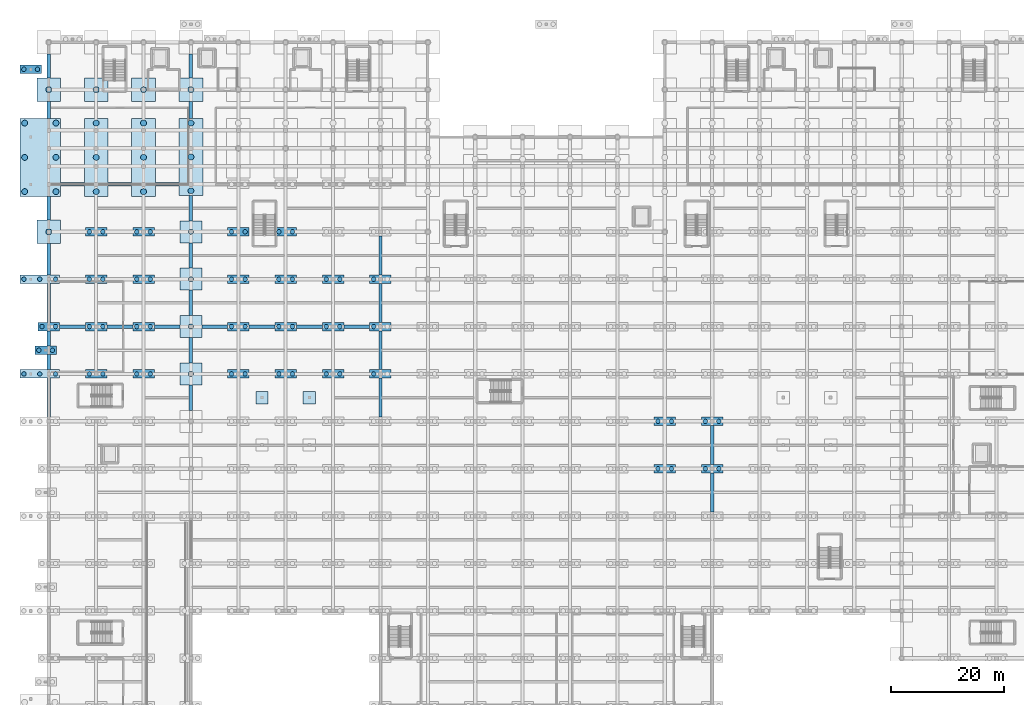
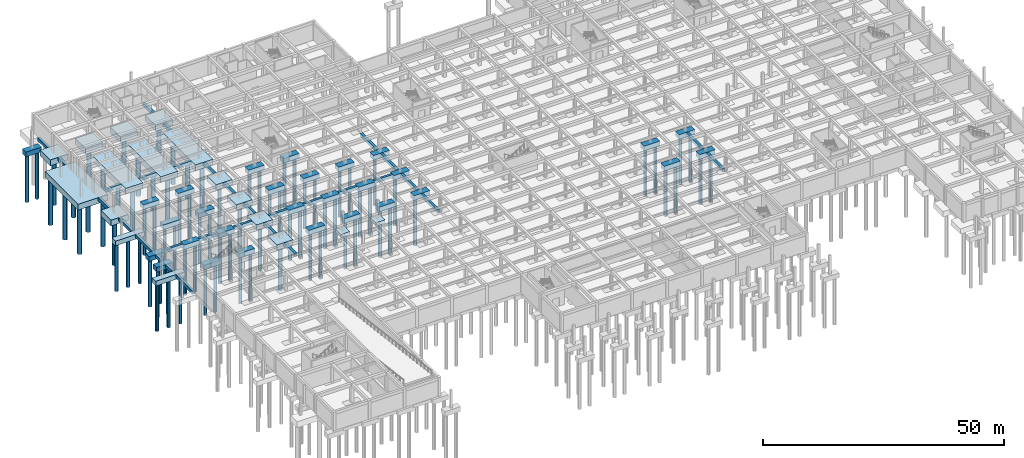
# One storey, part 3 of 51: 85 piles, 77 footings.
"""IFC4 building model written with IfcOpenShell, lengths in metres."""

from ifc_helpers import new_model, si_unit, direction, frame, origin, origin_2d, place, context, subcontext, project, spatial, rectangle, circle, extrude, material, material_profile, profile_set, type_object, element, save


model = new_model("IFC4")

# Units and contexts
model_context = context("Model", 3, precision=1e-05, world=origin(), true_north=direction((0.0, 1.0)))
body_context = subcontext(model_context, "Body", "Model", "MODEL_VIEW")
ifc_project = project(units=[si_unit("LENGTHUNIT", "METRE"), si_unit("AREAUNIT", "SQUARE_METRE"), si_unit("VOLUMEUNIT", "CUBIC_METRE"), si_unit("PLANEANGLEUNIT", "RADIAN"), si_unit("MASSUNIT", "GRAM", prefix="KILO")], contexts=[model_context])

# Site, building, storey
site_placement = place(None, origin())
site = spatial("IfcSite", under=ifc_project, at=site_placement, CompositionType="ELEMENT")
building_placement = place(site_placement, origin())
building = spatial("IfcBuilding", under=site, at=building_placement, Name="Varncliffe General Hospital", CompositionType="ELEMENT")
storey_placement = place(building_placement, frame((0.0, 0.0, -4.800048828125)))
storey = spatial("IfcBuildingStorey", under=building, at=storey_placement, Name="B1", CompositionType="ELEMENT", Elevation=-4.800048828125)

# Piles
ifc_material = material(Name="Concrete C40/50 (CSA A23.1 40 MPa)", Category="concrete")
ifc_material_profile_1 = material_profile(ifc_material, circle(Radius=0.39990234375, at=origin_2d()), Name="BORED PILE 800")
ifc_profile_set_1 = profile_set([ifc_material_profile_1], Name="Concrete C40/50 (CSA A23.1 40 MPa)")
pile_type_1 = type_object("IfcPileType", Name="Bored Caisson Pile P13 (BORED PILE 800)", PredefinedType="BORED", material=ifc_profile_set_1)
for number, where, z_axis, x_axis, name in (
    (1, (108.0, 49.199951171875, -1.050048828125), (0.0, 0.0, -1.0), (1.0, 0.0, 0.0), "B1 Bored Pile P13 (PC-B1-147-1)"),
    (2, (110.39990234375, 49.199951171875, -1.050048828125), (0.0, 0.0, -1.0), (1.0, 0.0, 0.0), "B1 Bored Pile P13 (PC-B1-147-2)"),
    (3, (116.39990234375, 49.199951171875, -1.050048828125), (0.0, 0.0, -1.0), (1.0, 0.0, 0.0), "B1 Bored Pile P13 (PC-B1-148-1)"),
    (4, (118.800048828125, 49.199951171875, -1.050048828125), (0.0, 0.0, -1.0), (1.0, 0.0, 0.0), "B1 Bored Pile P13 (PC-B1-148-2)"),
    (5, (108.0, 57.60009765625, -1.050048828125), (0.0, 0.0, -1.0), (1.0, 0.0, 0.0), "B1 Bored Pile P13 (PC-B1-169-1)"),
    (6, (110.39990234375, 57.60009765625, -1.050048828125), (0.0, 0.0, -1.0), (1.0, 0.0, 0.0), "B1 Bored Pile P13 (PC-B1-169-2)"),
    (7, (116.39990234375, 57.60009765625, -1.050048828125), (0.0, 0.0, -1.0), (1.0, 0.0, 0.0), "B1 Bored Pile P13 (PC-B1-170-1)"),
    (8, (118.800048828125, 57.60009765625, -1.050048828125), (0.0, 0.0, -1.0), (1.0, 0.0, 0.0), "B1 Bored Pile P13 (PC-B1-170-2)"),
    (9, (-4.39990234375, 66.0, -1.050048828125), (0.0, 0.0, -1.0), (1.0, 0.0, 0.0), "B1 Bored Pile P13 (PC-B1-179-1)"),
    (10, (-1.60009765625, 66.0, -1.050048828125), (0.0, 0.0, -1.0), (1.0, 0.0, 0.0), "B1 Bored Pile P13 (PC-B1-179-2)"),
    (11, (1.199951171875, 66.0, -1.050048828125), (0.0, 0.0, -1.0), (1.0, 0.0, 0.0), "B1 Bored Pile P13 (PC-B1-179-3)"),
    (12, (7.199951171875, 66.0, -1.050048828125), (0.0, 0.0, -1.0), (1.0, 0.0, 0.0), "B1 Bored Pile P13 (PC-B1-180-1)"),
    (13, (9.60009765625, 66.0, -1.050048828125), (0.0, 0.0, -1.0), (1.0, 0.0, 0.0), "B1 Bored Pile P13 (PC-B1-180-2)"),
    (14, (15.60009765625, 66.0, -1.050048828125), (0.0, 0.0, -1.0), (1.0, 0.0, 0.0), "B1 Bored Pile P13 (PC-B1-181-1)"),
    (15, (18.0, 66.0, -1.050048828125), (0.0, 0.0, -1.0), (1.0, 0.0, 0.0), "B1 Bored Pile P13 (PC-B1-181-2)"),
    (16, (32.39990234375, 66.0, -1.050048828125), (0.0, 0.0, -1.0), (1.0, 0.0, 0.0), "B1 Bored Pile P13 (PC-B1-182-1)"),
    (17, (34.800048828125, 66.0, -1.050048828125), (0.0, 0.0, -1.0), (1.0, 0.0, 0.0), "B1 Bored Pile P13 (PC-B1-182-2)"),
    (18, (40.800048828125, 66.0, -1.050048828125), (0.0, 0.0, -1.0), (1.0, 0.0, 0.0), "B1 Bored Pile P13 (PC-B1-183-1)"),
    (19, (43.199951171875, 66.0, -1.050048828125), (0.0, 0.0, -1.0), (1.0, 0.0, 0.0), "B1 Bored Pile P13 (PC-B1-183-2)"),
    (20, (49.199951171875, 66.0, -1.050048828125), (0.0, 0.0, -1.0), (1.0, 0.0, 0.0), "B1 Bored Pile P13 (PC-B1-184-1)"),
    (21, (51.60009765625, 66.0, -1.050048828125), (0.0, 0.0, -1.0), (1.0, 0.0, 0.0), "B1 Bored Pile P13 (PC-B1-184-2)"),
    (22, (57.60009765625, 66.0, -1.050048828125), (0.0, 0.0, -1.0), (1.0, 0.0, 0.0), "B1 Bored Pile P13 (PC-B1-185-1)"),
    (23, (-1.75, 70.199951171875, -1.050048828125), (0.0, 0.0, -1.0), (1.0, 0.0, 0.0), "B1 Bored Pile P13 (PC-B1-199-1)"),
    (24, (0.64990234375, 70.199951171875, -1.050048828125), (0.0, 0.0, -1.0), (1.0, 0.0, 0.0), "B1 Bored Pile P13 (PC-B1-199-2)"),
    (25, (-1.199951171875, 74.39990234375, -1.050048828125), (0.0, 0.0, -1.0), (1.0, 0.0, 0.0), "B1 Bored Pile P13 (PC-B1-203-1)"),
    (26, (1.199951171875, 74.39990234375, -1.050048828125), (0.0, 0.0, -1.0), (1.0, 0.0, 0.0), "B1 Bored Pile P13 (PC-B1-203-2)"),
    (27, (7.199951171875, 74.39990234375, -1.050048828125), (0.0, 0.0, -1.0), (1.0, 0.0, 0.0), "B1 Bored Pile P13 (PC-B1-204-1)"),
    (28, (9.60009765625, 74.39990234375, -1.050048828125), (0.0, 0.0, -1.0), (1.0, 0.0, 0.0), "B1 Bored Pile P13 (PC-B1-204-2)"),
    (29, (15.60009765625, 74.39990234375, -1.050048828125), (0.0, 0.0, -1.0), (1.0, 0.0, 0.0), "B1 Bored Pile P13 (PC-B1-205-1)"),
    (30, (18.0, 74.39990234375, -1.050048828125), (0.0, 0.0, -1.0), (1.0, 0.0, 0.0), "B1 Bored Pile P13 (PC-B1-205-2)"),
    (31, (32.39990234375, 74.39990234375, -1.050048828125), (0.0, 0.0, -1.0), (1.0, 0.0, 0.0), "B1 Bored Pile P13 (PC-B1-206-1)"),
    (32, (34.800048828125, 74.39990234375, -1.050048828125), (0.0, 0.0, -1.0), (1.0, 0.0, 0.0), "B1 Bored Pile P13 (PC-B1-206-2)"),
    (33, (40.800048828125, 74.39990234375, -1.050048828125), (0.0, 0.0, -1.0), (1.0, 0.0, 0.0), "B1 Bored Pile P13 (PC-B1-207-1)"),
    (34, (43.199951171875, 74.39990234375, -1.050048828125), (0.0, 0.0, -1.0), (1.0, 0.0, 0.0), "B1 Bored Pile P13 (PC-B1-207-2)"),
    (35, (49.199951171875, 74.39990234375, -1.050048828125), (0.0, 0.0, -1.0), (1.0, 0.0, 0.0), "B1 Bored Pile P13 (PC-B1-208-1)"),
    (36, (51.60009765625, 74.39990234375, -1.050048828125), (0.0, 0.0, -1.0), (1.0, 0.0, 0.0), "B1 Bored Pile P13 (PC-B1-208-2)"),
    (37, (57.60009765625, 74.39990234375, -1.050048828125), (0.0, 0.0, -1.0), (1.0, 0.0, 0.0), "B1 Bored Pile P13 (PC-B1-209-1)"),
    (38, (-4.39990234375, 82.800048828125, -1.050048828125), (0.0, 0.0, -1.0), (1.0, 0.0, 0.0), "B1 Bored Pile P13 (PC-B1-226-1)"),
    (39, (-1.60009765625, 82.800048828125, -1.050048828125), (0.0, 0.0, -1.0), (1.0, 0.0, 0.0), "B1 Bored Pile P13 (PC-B1-226-2)"),
    (40, (1.199951171875, 82.800048828125, -1.050048828125), (0.0, 0.0, -1.0), (1.0, 0.0, 0.0), "B1 Bored Pile P13 (PC-B1-226-3)"),
    (41, (7.199951171875, 82.800048828125, -1.050048828125), (0.0, 0.0, -1.0), (1.0, 0.0, 0.0), "B1 Bored Pile P13 (PC-B1-227-1)"),
    (42, (9.60009765625, 82.800048828125, -1.050048828125), (0.0, 0.0, -1.0), (1.0, 0.0, 0.0), "B1 Bored Pile P13 (PC-B1-227-2)"),
    (43, (15.60009765625, 82.800048828125, -1.050048828125), (0.0, 0.0, -1.0), (1.0, 0.0, 0.0), "B1 Bored Pile P13 (PC-B1-228-1)"),
    (44, (18.0, 82.800048828125, -1.050048828125), (0.0, 0.0, -1.0), (1.0, 0.0, 0.0), "B1 Bored Pile P13 (PC-B1-228-2)"),
    (45, (32.39990234375, 82.800048828125, -1.050048828125), (0.0, 0.0, -1.0), (1.0, 0.0, 0.0), "B1 Bored Pile P13 (PC-B1-229-1)"),
    (46, (34.800048828125, 82.800048828125, -1.050048828125), (0.0, 0.0, -1.0), (1.0, 0.0, 0.0), "B1 Bored Pile P13 (PC-B1-229-2)"),
    (47, (40.800048828125, 82.800048828125, -1.050048828125), (0.0, 0.0, -1.0), (1.0, 0.0, 0.0), "B1 Bored Pile P13 (PC-B1-230-1)"),
    (48, (43.199951171875, 82.800048828125, -1.050048828125), (0.0, 0.0, -1.0), (1.0, 0.0, 0.0), "B1 Bored Pile P13 (PC-B1-230-2)"),
    (49, (49.199951171875, 82.800048828125, -1.050048828125), (0.0, 0.0, -1.0), (1.0, 0.0, 0.0), "B1 Bored Pile P13 (PC-B1-231-1)"),
    (50, (51.60009765625, 82.800048828125, -1.050048828125), (0.0, 0.0, -1.0), (1.0, 0.0, 0.0), "B1 Bored Pile P13 (PC-B1-231-2)"),
    (51, (57.60009765625, 82.800048828125, -1.050048828125), (0.0, 0.0, -1.0), (1.0, 0.0, 0.0), "B1 Bored Pile P13 (PC-B1-232-1)"),
    (52, (7.199951171875, 91.199951171875, -1.050048828125), (0.0, 0.0, -1.0), (1.0, 0.0, 0.0), "B1 Bored Pile P13 (PC-B1-250-1)"),
    (53, (9.60009765625, 91.199951171875, -1.050048828125), (0.0, 0.0, -1.0), (1.0, 0.0, 0.0), "B1 Bored Pile P13 (PC-B1-250-2)"),
    (54, (15.60009765625, 91.199951171875, -1.050048828125), (0.0, 0.0, -1.0), (1.0, 0.0, 0.0), "B1 Bored Pile P13 (PC-B1-251-1)"),
    (55, (18.0, 91.199951171875, -1.050048828125), (0.0, 0.0, -1.0), (1.0, 0.0, 0.0), "B1 Bored Pile P13 (PC-B1-251-2)"),
    (56, (32.39990234375, 91.199951171875, -1.050048828125), (0.0, 0.0, -1.0), (1.0, 0.0, 0.0), "B1 Bored Pile P13 (PC-B1-252-1)"),
    (57, (34.800048828125, 91.199951171875, -1.050048828125), (0.0, 0.0, -1.0), (1.0, 0.0, 0.0), "B1 Bored Pile P13 (PC-B1-252-2)"),
    (58, (40.800048828125, 91.199951171875, -1.050048828125), (0.0, 0.0, -1.0), (1.0, 0.0, 0.0), "B1 Bored Pile P13 (PC-B1-253-1)"),
    (59, (43.199951171875, 91.199951171875, -1.050048828125), (0.0, 0.0, -1.0), (1.0, 0.0, 0.0), "B1 Bored Pile P13 (PC-B1-253-2)"),
    (60, (-4.39990234375, 120.0, -1.050048828125), (0.0, 0.0, -1.0), (1.0, 0.0, 0.0), "B1 Bored Pile P13 (PC-B1-315-1)"),
    (61, (-2.0, 120.0, -1.050048828125), (0.0, 0.0, -1.0), (1.0, 0.0, 0.0), "B1 Bored Pile P13 (PC-B1-315-2)"),
):
    element("IfcPile", number, at=place(storey_placement, frame(where, z_axis=z_axis, x_axis=x_axis)), inside=storey, type_object=pile_type_1, Name=name, PredefinedType="BORED", context=body_context, shape_type="SweptSolid", body=[
        extrude(circle(Radius=0.39990234375, at=origin_2d()), origin(), (0.0, 0.0, 1.0), 12.14990234375),
    ])
ifc_material_profile_2 = material_profile(ifc_material, circle(Radius=0.449951171875, at=origin_2d()), Name="BORED PILE 900")
ifc_profile_set_2 = profile_set([ifc_material_profile_2], Name="Concrete C40/50 (CSA A23.1 40 MPa)")
pile_type_2 = type_object("IfcPileType", Name="Bored Caisson Pile P20 (BORED PILE 900)", PredefinedType="BORED", material=ifc_profile_set_2)
for number, where, z_axis, x_axis, name in (
    (62, (25.199951171875, 66.0, -1.199951171875), (0.0, 0.0, -1.0), (1.0, 0.0, 0.0), "B1 Bored Pile P20 (PC-B1-177-1)"),
    (63, (25.199951171875, 74.39990234375, -1.199951171875), (0.0, 0.0, -1.0), (1.0, 0.0, 0.0), "B1 Bored Pile P20 (PC-B1-201-1)"),
    (64, (25.199951171875, 82.800048828125, -1.199951171875), (0.0, 0.0, -1.0), (1.0, 0.0, 0.0), "B1 Bored Pile P20 (PC-B1-225-1)"),
    (65, (25.199951171875, 91.199951171875, -1.199951171875), (0.0, 0.0, -1.0), (1.0, 0.0, 0.0), "B1 Bored Pile P20 (PC-B1-249-1)"),
):
    element("IfcPile", number, at=place(storey_placement, frame(where, z_axis=z_axis, x_axis=x_axis)), inside=storey, type_object=pile_type_2, Name=name, PredefinedType="BORED", context=body_context, shape_type="SweptSolid", body=[
        extrude(circle(Radius=0.449951171875, at=origin_2d()), origin(), (0.0, 0.0, 1.0), 12.0),
    ])
ifc_material_profile_3 = material_profile(ifc_material, circle(Radius=0.52490234375, at=origin_2d()), Name="BORED PILE 1050")
ifc_profile_set_3 = profile_set([ifc_material_profile_3], Name="Concrete C40/50 (CSA A23.1 40 MPa)")
pile_type_3 = type_object("IfcPileType", Name="Bored Caisson Pile P22 (BORED PILE 1050)", PredefinedType="BORED", material=ifc_profile_set_3)
for number, where, z_axis, x_axis, name in (
    (66, (0.0, 91.199951171875, -1.349853515625), (0.0, 0.0, -1.0), (1.0, 0.0, 0.0), "B1 Bored Pile P22 (PC-B1-245-1)"),
    (67, (-4.27490234375, 98.324951171875, -1.349853515625), (0.0, 0.0, -1.0), (1.0, 0.0, 0.0), "B1 Bored Pile P22 (PC-B1-267-1)"),
    (68, (-4.27490234375, 104.39990234375, -1.349853515625), (0.0, 0.0, -1.0), (1.0, 0.0, 0.0), "B1 Bored Pile P22 (PC-B1-267-2)"),
    (69, (-4.27490234375, 110.47509765625, -1.349853515625), (0.0, 0.0, -1.0), (1.0, 0.0, 0.0), "B1 Bored Pile P22 (PC-B1-267-3)"),
    (70, (1.27490234375, 98.324951171875, -1.349853515625), (0.0, 0.0, -1.0), (1.0, 0.0, 0.0), "B1 Bored Pile P22 (PC-B1-267-4)"),
    (71, (1.27490234375, 104.39990234375, -1.349853515625), (0.0, 0.0, -1.0), (1.0, 0.0, 0.0), "B1 Bored Pile P22 (PC-B1-267-5)"),
    (72, (1.27490234375, 110.47509765625, -1.349853515625), (0.0, 0.0, -1.0), (1.0, 0.0, 0.0), "B1 Bored Pile P22 (PC-B1-267-6)"),
    (73, (8.39990234375, 98.324951171875, -1.349853515625), (0.0, 0.0, -1.0), (1.0, 0.0, 0.0), "B1 Bored Pile P22 (PC-B1-268-1)"),
    (74, (8.39990234375, 104.39990234375, -1.349853515625), (0.0, 0.0, -1.0), (1.0, 0.0, 0.0), "B1 Bored Pile P22 (PC-B1-268-2)"),
    (75, (8.39990234375, 110.47509765625, -1.349853515625), (0.0, 0.0, -1.0), (1.0, 0.0, 0.0), "B1 Bored Pile P22 (PC-B1-268-3)"),
    (76, (16.800048828125, 98.324951171875, -1.349853515625), (0.0, 0.0, -1.0), (1.0, 0.0, 0.0), "B1 Bored Pile P22 (PC-B1-269-1)"),
    (77, (16.800048828125, 104.39990234375, -1.349853515625), (0.0, 0.0, -1.0), (1.0, 0.0, 0.0), "B1 Bored Pile P22 (PC-B1-269-2)"),
    (78, (16.800048828125, 110.47509765625, -1.349853515625), (0.0, 0.0, -1.0), (1.0, 0.0, 0.0), "B1 Bored Pile P22 (PC-B1-269-3)"),
    (79, (25.199951171875, 98.47509765625, -1.349853515625), (0.0, 0.0, -1.0), (1.0, 0.0, 0.0), "B1 Bored Pile P22 (PC-B1-284-1)"),
    (80, (25.199951171875, 104.47509765625, -1.349853515625), (0.0, 0.0, -1.0), (1.0, 0.0, 0.0), "B1 Bored Pile P22 (PC-B1-284-2)"),
    (81, (25.199951171875, 110.47509765625, -1.349853515625), (0.0, 0.0, -1.0), (1.0, 0.0, 0.0), "B1 Bored Pile P22 (PC-B1-284-3)"),
    (82, (0.0, 116.39990234375, -1.349853515625), (0.0, 0.0, -1.0), (1.0, 0.0, 0.0), "B1 Bored Pile P22 (PC-B1-297-1)"),
    (83, (8.39990234375, 116.39990234375, -1.349853515625), (0.0, 0.0, -1.0), (1.0, 0.0, 0.0), "B1 Bored Pile P22 (PC-B1-298-1)"),
    (84, (16.800048828125, 116.39990234375, -1.349853515625), (0.0, 0.0, -1.0), (1.0, 0.0, 0.0), "B1 Bored Pile P22 (PC-B1-299-1)"),
    (85, (25.199951171875, 116.39990234375, -1.349853515625), (0.0, 0.0, -1.0), (1.0, 0.0, 0.0), "B1 Bored Pile P22 (PC-B1-300-1)"),
):
    element("IfcPile", number, at=place(storey_placement, frame(where, z_axis=z_axis, x_axis=x_axis)), inside=storey, type_object=pile_type_3, Name=name, PredefinedType="BORED", context=body_context, shape_type="SweptSolid", body=[
        extrude(circle(Radius=0.52490234375, at=origin_2d()), origin(), (0.0, 0.0, 1.0), 11.85009765625),
    ])

# Footings
footing_type_1 = type_object("IfcFootingType", Name="Pile Cap PC17 (3800x1500x1200)", PredefinedType="PILE_CAP", material=ifc_material)
for number, where, z_axis, x_axis, name in (
    (86, (109.199951171875, 49.199951171875, -1.19970703125), (0.0, 0.0, 1.0), (1.0, 0.0, 0.0), "B1 Pile Cap PC17 #147"),
    (87, (117.60009765625, 49.199951171875, -1.19970703125), (0.0, 0.0, 1.0), (1.0, 0.0, 0.0), "B1 Pile Cap PC17 #148"),
    (88, (109.199951171875, 57.60009765625, -1.19970703125), (0.0, 0.0, 1.0), (1.0, 0.0, 0.0), "B1 Pile Cap PC17 #169"),
    (89, (117.60009765625, 57.60009765625, -1.19970703125), (0.0, 0.0, 1.0), (1.0, 0.0, 0.0), "B1 Pile Cap PC17 #170"),
    (90, (8.39990234375, 66.0, -1.19970703125), (0.0, 0.0, 1.0), (1.0, 0.0, 0.0), "B1 Pile Cap PC17 #180"),
    (91, (16.800048828125, 66.0, -1.19970703125), (0.0, 0.0, 1.0), (1.0, 0.0, 0.0), "B1 Pile Cap PC17 #181"),
    (92, (33.60009765625, 66.0, -1.19970703125), (0.0, 0.0, 1.0), (1.0, 0.0, 0.0), "B1 Pile Cap PC17 #182"),
    (93, (42.0, 66.0, -1.19970703125), (0.0, 0.0, 1.0), (1.0, 0.0, 0.0), "B1 Pile Cap PC17 #183"),
    (94, (50.39990234375, 66.0, -1.19970703125), (0.0, 0.0, 1.0), (1.0, 0.0, 0.0), "B1 Pile Cap PC17 #184"),
    (95, (58.800048828125, 66.0, -1.19970703125), (0.0, 0.0, 1.0), (1.0, 0.0, 0.0), "B1 Pile Cap PC17 #185"),
    (96, (-0.550048828125, 70.199951171875, -1.19970703125), (0.0, 0.0, 1.0), (1.0, 0.0, 0.0), "B1 Pile Cap PC17 #199"),
    (97, (0.0, 74.39990234375, -1.19970703125), (0.0, 0.0, 1.0), (1.0, 0.0, 0.0), "B1 Pile Cap PC17 #203"),
    (98, (8.39990234375, 74.39990234375, -1.19970703125), (0.0, 0.0, 1.0), (1.0, 0.0, 0.0), "B1 Pile Cap PC17 #204"),
    (99, (16.800048828125, 74.39990234375, -1.19970703125), (0.0, 0.0, 1.0), (1.0, 0.0, 0.0), "B1 Pile Cap PC17 #205"),
    (100, (33.60009765625, 74.39990234375, -1.19970703125), (0.0, 0.0, 1.0), (1.0, 0.0, 0.0), "B1 Pile Cap PC17 #206"),
    (101, (42.0, 74.39990234375, -1.19970703125), (0.0, 0.0, 1.0), (1.0, 0.0, 0.0), "B1 Pile Cap PC17 #207"),
    (102, (50.39990234375, 74.39990234375, -1.19970703125), (0.0, 0.0, 1.0), (1.0, 0.0, 0.0), "B1 Pile Cap PC17 #208"),
    (103, (58.800048828125, 74.39990234375, -1.19970703125), (0.0, 0.0, 1.0), (1.0, 0.0, 0.0), "B1 Pile Cap PC17 #209"),
    (104, (8.39990234375, 82.800048828125, -1.19970703125), (0.0, 0.0, 1.0), (1.0, 0.0, 0.0), "B1 Pile Cap PC17 #227"),
    (105, (16.800048828125, 82.800048828125, -1.19970703125), (0.0, 0.0, 1.0), (1.0, 0.0, 0.0), "B1 Pile Cap PC17 #228"),
    (106, (33.60009765625, 82.800048828125, -1.19970703125), (0.0, 0.0, 1.0), (1.0, 0.0, 0.0), "B1 Pile Cap PC17 #229"),
    (107, (42.0, 82.800048828125, -1.19970703125), (0.0, 0.0, 1.0), (1.0, 0.0, 0.0), "B1 Pile Cap PC17 #230"),
    (108, (50.39990234375, 82.800048828125, -1.19970703125), (0.0, 0.0, 1.0), (1.0, 0.0, 0.0), "B1 Pile Cap PC17 #231"),
    (109, (58.800048828125, 82.800048828125, -1.19970703125), (0.0, 0.0, 1.0), (1.0, 0.0, 0.0), "B1 Pile Cap PC17 #232"),
    (110, (8.39990234375, 91.199951171875, -1.19970703125), (0.0, 0.0, 1.0), (1.0, 0.0, 0.0), "B1 Pile Cap PC17 #250"),
    (111, (16.800048828125, 91.199951171875, -1.19970703125), (0.0, 0.0, 1.0), (1.0, 0.0, 0.0), "B1 Pile Cap PC17 #251"),
    (112, (33.60009765625, 91.199951171875, -1.19970703125), (0.0, 0.0, 1.0), (1.0, 0.0, 0.0), "B1 Pile Cap PC17 #252"),
    (113, (42.0, 91.199951171875, -1.19970703125), (0.0, 0.0, 1.0), (1.0, 0.0, 0.0), "B1 Pile Cap PC17 #253"),
    (114, (-3.199951171875, 120.0, -1.19970703125), (0.0, 0.0, 1.0), (1.0, 0.0, 0.0), "B1 Pile Cap PC17 #315"),
):
    element("IfcFooting", number, at=place(storey_placement, frame(where, z_axis=z_axis, x_axis=x_axis)), inside=storey, type_object=footing_type_1, Name=name, PredefinedType="PILE_CAP", context=body_context, shape_type="SweptSolid", body=[
        extrude(rectangle(XDim=3.800048828125, YDim=1.5, at=origin_2d()), origin(), (0.0, 0.0, 1.0), 1.199951171875),
    ])
footing_type_2 = type_object("IfcFootingType", Name="Pile Cap PC24 (13800x4200x1500)", PredefinedType="PILE_CAP", material=ifc_material)
for number, where, z_axis, x_axis, name in (
    (115, (8.39990234375, 104.39990234375, -1.5), (0.0, 0.0, 1.0), (1.0, 0.0, 0.0), "B1 Pile Cap PC24 #268"),
    (116, (16.800048828125, 104.39990234375, -1.5), (0.0, 0.0, 1.0), (1.0, 0.0, 0.0), "B1 Pile Cap PC24 #269"),
):
    element("IfcFooting", number, at=place(storey_placement, frame(where, z_axis=z_axis, x_axis=x_axis)), inside=storey, type_object=footing_type_2, Name=name, PredefinedType="PILE_CAP", context=body_context, shape_type="SweptSolid", body=[
        extrude(rectangle(XDim=4.199951171875, YDim=13.800048828125, at=origin_2d()), origin(), (0.0, 0.0, 1.0), 1.5),
    ])
footing_type_3 = type_object("IfcFootingType", Name="Pile Cap PC33 (13650x4200x1500)", PredefinedType="PILE_CAP", material=ifc_material)
footing_1_placement = place(storey_placement, frame((25.199951171875, 104.47509765625, -1.5), z_axis=(0.0, 0.0, 1.0), x_axis=(1.0, 0.0, 0.0)))
element("IfcFooting", 117, at=footing_1_placement, inside=storey, type_object=footing_type_3, Name="B1 Pile Cap PC33 #284", PredefinedType="PILE_CAP", context=body_context, shape_type="SweptSolid", body=[
    extrude(rectangle(XDim=4.199951171875, YDim=13.64990234375, at=origin_2d()), origin(), (0.0, 0.0, 1.0), 1.5),
])
footing_type_4 = type_object("IfcFootingType", Name="Pile Cap PC59 (3900x3900x1350)", PredefinedType="PILE_CAP", material=ifc_material)
for number, where, z_axis, x_axis, name in (
    (118, (25.199951171875, 66.0, -1.35009765625), (0.0, 0.0, 1.0), (1.0, 0.0, 0.0), "B1 Pile Cap PC59 #177"),
    (119, (25.199951171875, 74.39990234375, -1.35009765625), (0.0, 0.0, 1.0), (1.0, 0.0, 0.0), "B1 Pile Cap PC59 #201"),
    (120, (25.199951171875, 82.800048828125, -1.35009765625), (0.0, 0.0, 1.0), (1.0, 0.0, 0.0), "B1 Pile Cap PC59 #225"),
    (121, (25.199951171875, 91.199951171875, -1.35009765625), (0.0, 0.0, 1.0), (1.0, 0.0, 0.0), "B1 Pile Cap PC59 #249"),
):
    element("IfcFooting", number, at=place(storey_placement, frame(where, z_axis=z_axis, x_axis=x_axis)), inside=storey, type_object=footing_type_4, Name=name, PredefinedType="PILE_CAP", context=body_context, shape_type="SweptSolid", body=[
        extrude(rectangle(XDim=3.89990234375, YDim=3.89990234375, at=origin_2d()), origin(), (0.0, 0.0, 1.0), 1.35009765625),
    ])
footing_type_5 = type_object("IfcFootingType", Name="Pile Cap PC61 (13800x7200x1500)", PredefinedType="PILE_CAP", material=ifc_material)
footing_2_placement = place(storey_placement, frame((-1.5, 104.39990234375, -1.5), z_axis=(0.0, 0.0, 1.0), x_axis=(1.0, 0.0, 0.0)))
element("IfcFooting", 122, at=footing_2_placement, inside=storey, type_object=footing_type_5, Name="B1 Pile Cap PC61 #267", PredefinedType="PILE_CAP", context=body_context, shape_type="SweptSolid", body=[
    extrude(rectangle(XDim=7.199951171875, YDim=13.800048828125, at=origin_2d()), origin(), (0.0, 0.0, 1.0), 1.5),
])
footing_type_6 = type_object("IfcFootingType", Name="Pile Cap PC66 (7000x1500x1200)", PredefinedType="PILE_CAP", material=ifc_material)
for number, where, z_axis, x_axis, name in (
    (123, (-1.60009765625, 66.0, -1.19970703125), (0.0, 0.0, 1.0), (1.0, 0.0, 0.0), "B1 Pile Cap PC66 #179"),
    (124, (-1.60009765625, 82.800048828125, -1.19970703125), (0.0, 0.0, 1.0), (1.0, 0.0, 0.0), "B1 Pile Cap PC66 #226"),
):
    element("IfcFooting", number, at=place(storey_placement, frame(where, z_axis=z_axis, x_axis=x_axis)), inside=storey, type_object=footing_type_6, Name=name, PredefinedType="PILE_CAP", context=body_context, shape_type="SweptSolid", body=[
        extrude(rectangle(XDim=7.0, YDim=1.5, at=origin_2d()), origin(), (0.0, 0.0, 1.0), 1.199951171875),
    ])
footing_type_7 = type_object("IfcFootingType", Name="Pile Cap PC67 (4200x4200x1500)", PredefinedType="PILE_CAP", material=ifc_material)
for number, where, z_axis, x_axis, name in (
    (125, (0.0, 91.199951171875, -1.5), (0.0, 0.0, 1.0), (1.0, 0.0, 0.0), "B1 Pile Cap PC67 #245"),
    (126, (0.0, 116.39990234375, -1.5), (0.0, 0.0, 1.0), (1.0, 0.0, 0.0), "B1 Pile Cap PC67 #297"),
    (127, (8.39990234375, 116.39990234375, -1.5), (0.0, 0.0, 1.0), (1.0, 0.0, 0.0), "B1 Pile Cap PC67 #298"),
    (128, (16.800048828125, 116.39990234375, -1.5), (0.0, 0.0, 1.0), (1.0, 0.0, 0.0), "B1 Pile Cap PC67 #299"),
    (129, (25.199951171875, 116.39990234375, -1.5), (0.0, 0.0, 1.0), (1.0, 0.0, 0.0), "B1 Pile Cap PC67 #300"),
):
    element("IfcFooting", number, at=place(storey_placement, frame(where, z_axis=z_axis, x_axis=x_axis)), inside=storey, type_object=footing_type_7, Name=name, PredefinedType="PILE_CAP", context=body_context, shape_type="SweptSolid", body=[
        extrude(rectangle(XDim=4.199951171875, YDim=4.199951171875, at=origin_2d()), origin(), (0.0, 0.0, 1.0), 1.5),
    ])
footing_type_8 = type_object("IfcFootingType", Name="Seismic Grade Tie Beam FB69 (600x800)", PredefinedType="FOOTING_BEAM", material=ifc_material)
for number, where, z_axis, x_axis, name in (
    (130, (4.199951171875, 74.39990234375, -0.7998046875), (0.0, 0.0, 1.0), (1.0, 0.0, 0.0), "B1 Seismic Footing Tie Beam FB69-52"),
    (131, (12.60009765625, 74.39990234375, -0.7998046875), (0.0, 0.0, 1.0), (1.0, 0.0, 0.0), "B1 Seismic Footing Tie Beam FB69-53"),
):
    element("IfcFooting", number, at=place(storey_placement, frame(where, z_axis=z_axis, x_axis=x_axis)), inside=storey, type_object=footing_type_8, Name=name, PredefinedType="FOOTING_BEAM", context=body_context, shape_type="SweptSolid", body=[
        extrude(rectangle(XDim=4.60009765625, YDim=0.60009765625, at=origin_2d()), origin(), (0.0, 0.0, 1.0), 0.800048828125),
    ])
for number, where, z_axis, x_axis, name in (
    (132, (20.97509765625, 74.39990234375, -0.7998046875), (0.0, 0.0, 1.0), (1.0, 0.0, 0.0), "B1 Seismic Footing Tie Beam FB69-54"),
    (133, (29.425048828125, 74.39990234375, -0.7998046875), (0.0, 0.0, 1.0), (1.0, 0.0, 0.0), "B1 Seismic Footing Tie Beam FB69-55"),
):
    element("IfcFooting", number, at=place(storey_placement, frame(where, z_axis=z_axis, x_axis=x_axis)), inside=storey, type_object=footing_type_8, Name=name, PredefinedType="FOOTING_BEAM", context=body_context, shape_type="SweptSolid", body=[
        extrude(rectangle(XDim=4.550048828125, YDim=0.60009765625, at=origin_2d()), origin(), (0.0, 0.0, 1.0), 0.800048828125),
    ])
for number, where, z_axis, x_axis, name in (
    (134, (37.800048828125, 74.39990234375, -0.7998046875), (0.0, 0.0, 1.0), (1.0, 0.0, 0.0), "B1 Seismic Footing Tie Beam FB69-56"),
    (135, (46.199951171875, 74.39990234375, -0.7998046875), (0.0, 0.0, 1.0), (1.0, 0.0, 0.0), "B1 Seismic Footing Tie Beam FB69-57"),
    (136, (54.60009765625, 74.39990234375, -0.7998046875), (0.0, 0.0, 1.0), (1.0, 0.0, 0.0), "B1 Seismic Footing Tie Beam FB69-58"),
):
    element("IfcFooting", number, at=place(storey_placement, frame(where, z_axis=z_axis, x_axis=x_axis)), inside=storey, type_object=footing_type_8, Name=name, PredefinedType="FOOTING_BEAM", context=body_context, shape_type="SweptSolid", body=[
        extrude(rectangle(XDim=4.60009765625, YDim=0.60009765625, at=origin_2d()), origin(), (0.0, 0.0, 1.0), 0.800048828125),
    ])
for number, where, z_axis, x_axis, name in (
    (137, (4.199951171875, 99.60009765625, -0.7998046875), (0.0, 0.0, 1.0), (1.0, 0.0, 0.0), "B1 Seismic Footing Tie Beam FB69-73"),
    (138, (12.60009765625, 99.60009765625, -0.7998046875), (0.0, 0.0, 1.0), (1.0, 0.0, 0.0), "B1 Seismic Footing Tie Beam FB69-74"),
    (139, (21.0, 99.60009765625, -0.7998046875), (0.0, 0.0, 1.0), (1.0, 0.0, 0.0), "B1 Seismic Footing Tie Beam FB69-75"),
):
    element("IfcFooting", number, at=place(storey_placement, frame(where, z_axis=z_axis, x_axis=x_axis)), inside=storey, type_object=footing_type_8, Name=name, PredefinedType="FOOTING_BEAM", context=body_context, shape_type="SweptSolid", body=[
        extrude(rectangle(XDim=4.199951171875, YDim=0.60009765625, at=origin_2d()), origin(), (0.0, 0.0, 1.0), 0.800048828125),
    ])
footing_3_placement = place(storey_placement, frame((0.0, 61.800048828125, -0.7998046875), z_axis=(0.0, 0.0, 1.0), x_axis=(1.0, 0.0, 0.0)))
element("IfcFooting", 140, at=footing_3_placement, inside=storey, type_object=footing_type_8, Name="B1 Seismic Footing Tie Beam FB69-114", PredefinedType="FOOTING_BEAM", context=body_context, shape_type="SweptSolid", body=[
    extrude(rectangle(XDim=0.60009765625, YDim=6.89990234375, at=origin_2d()), origin(), (0.0, 0.0, 1.0), 0.800048828125),
])
for number, where, z_axis, x_axis, name in (
    (141, (0.0, 68.10009765625, -0.7998046875), (0.0, 0.0, 1.0), (1.0, 0.0, 0.0), "B1 Seismic Footing Tie Beam FB69-115"),
    (142, (0.0, 72.300048828125, -0.7998046875), (0.0, 0.0, 1.0), (1.0, 0.0, 0.0), "B1 Seismic Footing Tie Beam FB69-116"),
):
    element("IfcFooting", number, at=place(storey_placement, frame(where, z_axis=z_axis, x_axis=x_axis)), inside=storey, type_object=footing_type_8, Name=name, PredefinedType="FOOTING_BEAM", context=body_context, shape_type="SweptSolid", body=[
        extrude(rectangle(XDim=0.60009765625, YDim=2.699951171875, at=origin_2d()), origin(), (0.0, 0.0, 1.0), 0.800048828125),
    ])
footing_4_placement = place(storey_placement, frame((0.0, 78.60009765625, -0.7998046875), z_axis=(0.0, 0.0, 1.0), x_axis=(1.0, 0.0, 0.0)))
element("IfcFooting", 143, at=footing_4_placement, inside=storey, type_object=footing_type_8, Name="B1 Seismic Footing Tie Beam FB69-117", PredefinedType="FOOTING_BEAM", context=body_context, shape_type="SweptSolid", body=[
    extrude(rectangle(XDim=0.60009765625, YDim=6.89990234375, at=origin_2d()), origin(), (0.0, 0.0, 1.0), 0.800048828125),
])
footing_5_placement = place(storey_placement, frame((0.0, 86.324951171875, -0.7998046875), z_axis=(0.0, 0.0, 1.0), x_axis=(1.0, 0.0, 0.0)))
element("IfcFooting", 144, at=footing_5_placement, inside=storey, type_object=footing_type_8, Name="B1 Seismic Footing Tie Beam FB69-118", PredefinedType="FOOTING_BEAM", context=body_context, shape_type="SweptSolid", body=[
    extrude(rectangle(XDim=0.60009765625, YDim=5.550048828125, at=origin_2d()), origin(), (0.0, 0.0, 1.0), 0.800048828125),
])
footing_6_placement = place(storey_placement, frame((0.0, 95.39990234375, -0.7998046875), z_axis=(0.0, 0.0, 1.0), x_axis=(1.0, 0.0, 0.0)))
element("IfcFooting", 145, at=footing_6_placement, inside=storey, type_object=footing_type_8, Name="B1 Seismic Footing Tie Beam FB69-119", PredefinedType="FOOTING_BEAM", context=body_context, shape_type="SweptSolid", body=[
    extrude(rectangle(XDim=0.60009765625, YDim=4.199951171875, at=origin_2d()), origin(), (0.0, 0.0, 1.0), 0.800048828125),
])
footing_7_placement = place(storey_placement, frame((0.0, 112.800048828125, -0.7998046875), z_axis=(0.0, 0.0, 1.0), x_axis=(1.0, 0.0, 0.0)))
element("IfcFooting", 146, at=footing_7_placement, inside=storey, type_object=footing_type_8, Name="B1 Seismic Footing Tie Beam FB69-120", PredefinedType="FOOTING_BEAM", context=body_context, shape_type="SweptSolid", body=[
    extrude(rectangle(XDim=0.60009765625, YDim=3.0, at=origin_2d()), origin(), (0.0, 0.0, 1.0), 0.800048828125),
])
footing_8_placement = place(storey_placement, frame((0.0, 120.60009765625, -0.7998046875), z_axis=(0.0, 0.0, 1.0), x_axis=(1.0, 0.0, 0.0)))
element("IfcFooting", 147, at=footing_8_placement, inside=storey, type_object=footing_type_8, Name="B1 Seismic Footing Tie Beam FB69-121", PredefinedType="FOOTING_BEAM", context=body_context, shape_type="SweptSolid", body=[
    extrude(rectangle(XDim=0.60009765625, YDim=4.199951171875, at=origin_2d()), origin(), (0.0, 0.0, 1.0), 0.800048828125),
])
for number, where, z_axis, x_axis, name in (
    (148, (25.199951171875, 61.800048828125, -0.7998046875), (0.0, 0.0, 1.0), (1.0, 0.0, 0.0), "B1 Seismic Footing Tie Beam FB69-129"),
    (149, (25.199951171875, 70.199951171875, -0.7998046875), (0.0, 0.0, 1.0), (1.0, 0.0, 0.0), "B1 Seismic Footing Tie Beam FB69-130"),
    (150, (25.199951171875, 78.60009765625, -0.7998046875), (0.0, 0.0, 1.0), (1.0, 0.0, 0.0), "B1 Seismic Footing Tie Beam FB69-131"),
    (151, (25.199951171875, 87.0, -0.7998046875), (0.0, 0.0, 1.0), (1.0, 0.0, 0.0), "B1 Seismic Footing Tie Beam FB69-132"),
    (152, (25.199951171875, 95.39990234375, -0.7998046875), (0.0, 0.0, 1.0), (1.0, 0.0, 0.0), "B1 Seismic Footing Tie Beam FB69-133"),
):
    element("IfcFooting", number, at=place(storey_placement, frame(where, z_axis=z_axis, x_axis=x_axis)), inside=storey, type_object=footing_type_8, Name=name, PredefinedType="FOOTING_BEAM", context=body_context, shape_type="SweptSolid", body=[
        extrude(rectangle(XDim=0.60009765625, YDim=4.5, at=origin_2d()), origin(), (0.0, 0.0, 1.0), 0.800048828125),
    ])
footing_9_placement = place(storey_placement, frame((25.199951171875, 112.800048828125, -0.7998046875), z_axis=(0.0, 0.0, 1.0), x_axis=(1.0, 0.0, 0.0)))
element("IfcFooting", 153, at=footing_9_placement, inside=storey, type_object=footing_type_8, Name="B1 Seismic Footing Tie Beam FB69-134", PredefinedType="FOOTING_BEAM", context=body_context, shape_type="SweptSolid", body=[
    extrude(rectangle(XDim=0.60009765625, YDim=3.0, at=origin_2d()), origin(), (0.0, 0.0, 1.0), 0.800048828125),
])
footing_10_placement = place(storey_placement, frame((25.199951171875, 120.60009765625, -0.7998046875), z_axis=(0.0, 0.0, 1.0), x_axis=(1.0, 0.0, 0.0)))
element("IfcFooting", 154, at=footing_10_placement, inside=storey, type_object=footing_type_8, Name="B1 Seismic Footing Tie Beam FB69-135", PredefinedType="FOOTING_BEAM", context=body_context, shape_type="SweptSolid", body=[
    extrude(rectangle(XDim=0.60009765625, YDim=4.199951171875, at=origin_2d()), origin(), (0.0, 0.0, 1.0), 0.800048828125),
])
for number, where, z_axis, x_axis, name in (
    (155, (58.800048828125, 61.800048828125, -0.7998046875), (0.0, 0.0, 1.0), (1.0, 0.0, 0.0), "B1 Seismic Footing Tie Beam FB69-142"),
    (156, (58.800048828125, 70.199951171875, -0.7998046875), (0.0, 0.0, 1.0), (1.0, 0.0, 0.0), "B1 Seismic Footing Tie Beam FB69-143"),
    (157, (58.800048828125, 78.60009765625, -0.7998046875), (0.0, 0.0, 1.0), (1.0, 0.0, 0.0), "B1 Seismic Footing Tie Beam FB69-144"),
    (158, (58.800048828125, 87.0, -0.7998046875), (0.0, 0.0, 1.0), (1.0, 0.0, 0.0), "B1 Seismic Footing Tie Beam FB69-145"),
    (159, (117.60009765625, 45.0, -0.7998046875), (0.0, 0.0, 1.0), (1.0, 0.0, 0.0), "B1 Seismic Footing Tie Beam FB69-153"),
    (160, (117.60009765625, 53.39990234375, -0.7998046875), (0.0, 0.0, 1.0), (1.0, 0.0, 0.0), "B1 Seismic Footing Tie Beam FB69-154"),
):
    element("IfcFooting", number, at=place(storey_placement, frame(where, z_axis=z_axis, x_axis=x_axis)), inside=storey, type_object=footing_type_8, Name=name, PredefinedType="FOOTING_BEAM", context=body_context, shape_type="SweptSolid", body=[
        extrude(rectangle(XDim=0.60009765625, YDim=6.89990234375, at=origin_2d()), origin(), (0.0, 0.0, 1.0), 0.800048828125),
    ])
footing_type_9 = type_object("IfcFootingType", Name="Spread Pad Footing PF84 (2200x2200x800)", PredefinedType="PAD_FOOTING", material=ifc_material)
for number, where, z_axis, x_axis, name in (
    (161, (37.800048828125, 61.800048828125, -0.7998046875), (0.0, 0.0, 1.0), (1.0, 0.0, 0.0), "B1 Courtyard Colonnade Pad Footing PF84-3"),
    (162, (46.199951171875, 61.800048828125, -0.7998046875), (0.0, 0.0, 1.0), (1.0, 0.0, 0.0), "B1 Courtyard Colonnade Pad Footing PF84-4"),
):
    element("IfcFooting", number, at=place(storey_placement, frame(where, z_axis=z_axis, x_axis=x_axis)), inside=storey, type_object=footing_type_9, Name=name, PredefinedType="PAD_FOOTING", context=body_context, shape_type="SweptSolid", body=[
        extrude(rectangle(XDim=2.199951171875, YDim=2.199951171875, at=origin_2d()), origin(), (0.0, 0.0, 1.0), 0.800048828125),
    ])

save(model, "model.ifc")
